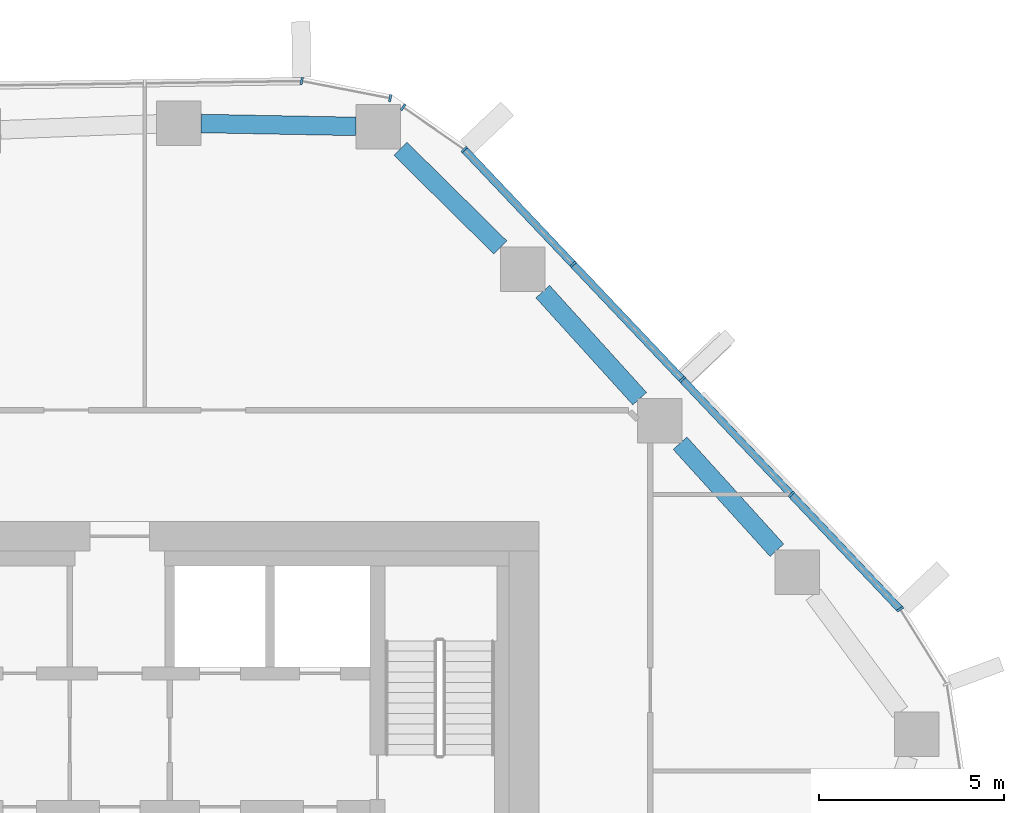
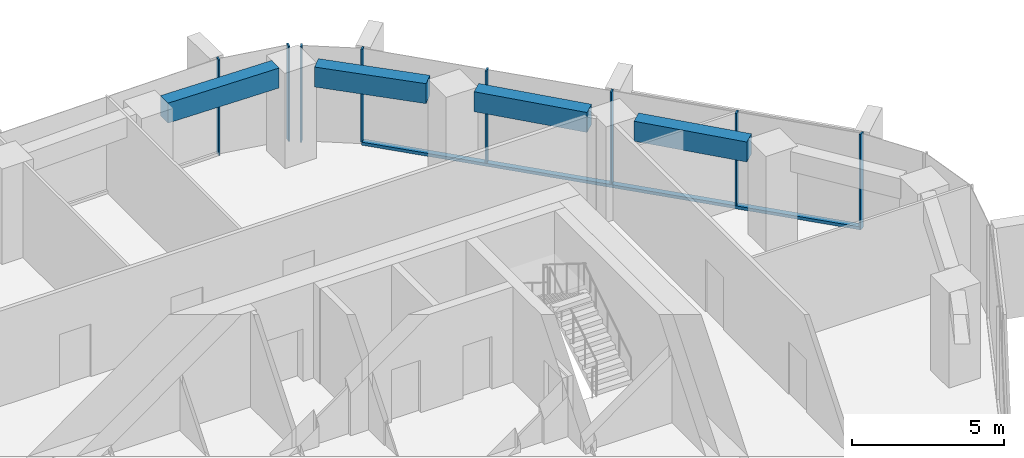
# One storey, part 7 of 18: 9 members, 4 beams, 4 elements without a shape of their own.
"""IFC4 building model written with IfcOpenShell, lengths in metres."""

from ifc_helpers import new_model, si_unit, direction, frame, origin, origin_2d, place, context, subcontext, project, spatial, rectangle, extrude, material, layer, layer_set, material_profile, profile_set, type_object, element, aggregate, save


model = new_model("IFC4")

# Units and contexts
model_context = context("Model", 3, precision=1e-05, world=origin(), true_north=direction((0.0, 1.0)))
body_context = subcontext(model_context, "Body", "Model", "MODEL_VIEW")
ifc_project = project(units=[si_unit("LENGTHUNIT", "METRE"), si_unit("AREAUNIT", "SQUARE_METRE"), si_unit("VOLUMEUNIT", "CUBIC_METRE"), si_unit("PLANEANGLEUNIT", "RADIAN"), si_unit("MASSUNIT", "GRAM", prefix="KILO")], contexts=[model_context])

# Site, building, storey
site_placement = place(None, origin())
site = spatial("IfcSite", under=ifc_project, at=site_placement, CompositionType="ELEMENT")
building_placement = place(site_placement, origin())
building = spatial("IfcBuilding", under=site, at=building_placement, Name="Dongbaek Canopy Tower", CompositionType="ELEMENT")
storey_placement = place(building_placement, frame((0.0, 0.0, 162.800048828125)))
storey = spatial("IfcBuildingStorey", under=building, at=storey_placement, Name="L35", CompositionType="ELEMENT", Elevation=162.800048828125)

# Curtain wall, member
ifc_material_1 = material(Name="Aluminium 6063-T6 pale anodised", Category="aluminium")
ifc_layer = layer(ifc_material_1, 0.199951171875)
ifc_layer_set = layer_set([ifc_layer], Name="CW-1 unitised tower curtain wall")
curtain_wall_type = type_object("IfcCurtainWallType", Name="CW-1 unitised tower curtain wall", PredefinedType="NOTDEFINED", material=ifc_layer_set)
curtain_wall_1_placement = place(storey_placement, origin())
curtain_wall_1 = element("IfcCurtainWall", 1, at=curtain_wall_1_placement, inside=storey, type_object=curtain_wall_type, Name="CW-1 curtain wall K0.1", PredefinedType="NOTDEFINED")
ifc_material_2 = material(Name="Aluminium 6063-T6 pale anodised", Category="aluminium")
ifc_material_profile_1 = material_profile(ifc_material_2, rectangle(XDim=0.199951171875, YDim=0.06005859375, at=origin_2d()), Name="CW-1 mullion 60 x 200")
ifc_profile_set_1 = profile_set([ifc_material_profile_1], Name="Aluminium 6063-T6 pale anodised")
member_type_1 = type_object("IfcMemberType", Name="CW-1 mullion 60 x 200", PredefinedType="MULLION", material=ifc_profile_set_1)
member_1_placement = place(storey_placement, frame((23.738037109375, 8.6298828125, 0.0), z_axis=(0.0, 0.0, 1.0), x_axis=(0.849036032046, 0.528334947063, 0.0)))
member_1 = element("IfcMember", 2, at=member_1_placement, type_object=member_type_1, Name="CW-1 mullion K0.1.4", PredefinedType="MULLION", context=body_context, shape_type="SweptSolid", body=[
    extrude(rectangle(XDim=0.199951171875, YDim=0.06005859375, at=origin_2d()), origin(), (0.0, 0.0, 1.0), 3.820068359375),
])
aggregate(curtain_wall_1, [member_1])

# Curtain wall, members
curtain_wall_2_placement = place(storey_placement, origin())
curtain_wall_2 = element("IfcCurtainWall", 3, at=curtain_wall_2_placement, inside=storey, type_object=curtain_wall_type, Name="CW-1 curtain wall F0.1", PredefinedType="NOTDEFINED")
member_2_placement = place(storey_placement, frame((20.803955078125, 11.724609375, 0.119873046875), z_axis=(0.0, 0.0, 1.0), x_axis=(0.725670208769, 0.688042693519, 0.0)))
member_2 = element("IfcMember", 4, at=member_2_placement, type_object=member_type_1, Name="CW-1 mullion F0.1.2", PredefinedType="MULLION", context=body_context, shape_type="SweptSolid", body=[
    extrude(rectangle(XDim=0.199951171875, YDim=0.06005859375, at=origin_2d()), origin(), (0.0, 0.0, 1.0), 3.7001953125),
])
member_3_placement = place(storey_placement, frame((17.86279296875, 14.826416015625, 0.119873046875), z_axis=(0.0, 0.0, 1.0), x_axis=(0.725670208769, 0.688042693519, 0.0)))
member_3 = element("IfcMember", 5, at=member_3_placement, type_object=member_type_1, Name="CW-1 mullion F0.1.3", PredefinedType="MULLION", context=body_context, shape_type="SweptSolid", body=[
    extrude(rectangle(XDim=0.199951171875, YDim=0.06005859375, at=origin_2d()), origin(), (0.0, 0.0, 1.0), 3.7001953125),
])
member_4_placement = place(storey_placement, frame((14.921875, 17.92822265625, 0.119873046875), z_axis=(0.0, 0.0, 1.0), x_axis=(0.725670208769, 0.688042693519, 0.0)))
member_4 = element("IfcMember", 6, at=member_4_placement, type_object=member_type_1, Name="CW-1 mullion F0.1.4", PredefinedType="MULLION", context=body_context, shape_type="SweptSolid", body=[
    extrude(rectangle(XDim=0.199951171875, YDim=0.06005859375, at=origin_2d()), origin(), (0.0, 0.0, 1.0), 3.7001953125),
])
member_5_placement = place(storey_placement, frame((11.988037109375, 21.022705078125, 0.119873046875), z_axis=(0.0, 0.0, 1.0), x_axis=(0.725670208769, 0.688042693519, 0.0)))
member_5 = element("IfcMember", 7, at=member_5_placement, type_object=member_type_1, Name="CW-1 mullion F0.1.5", PredefinedType="MULLION", context=body_context, shape_type="SweptSolid", body=[
    extrude(rectangle(XDim=0.199951171875, YDim=0.06005859375, at=origin_2d()), origin(), (0.0, 0.0, 1.0), 3.7001953125),
])

# Curtain wall, member
curtain_wall_3_placement = place(storey_placement, origin())
curtain_wall_3 = element("IfcCurtainWall", 8, at=curtain_wall_3_placement, inside=storey, type_object=curtain_wall_type, Name="CW-1 curtain wall K1.1a", PredefinedType="NOTDEFINED")
member_6_placement = place(storey_placement, frame((10.340087890625, 22.163330078125, 0.0), z_axis=(0.0, 0.0, 1.0), x_axis=(0.569121067059, 0.822253738836, 0.0)))
member_6 = element("IfcMember", 9, at=member_6_placement, type_object=member_type_1, Name="CW-1 mullion K1.1a.2", PredefinedType="MULLION", context=body_context, shape_type="SweptSolid", body=[
    extrude(rectangle(XDim=0.199951171875, YDim=0.06005859375, at=origin_2d()), origin(), (0.0, 0.0, 1.0), 3.820068359375),
])
aggregate(curtain_wall_3, [member_6])

# Curtain wall, members
curtain_wall_4_placement = place(storey_placement, origin())
curtain_wall_4 = element("IfcCurtainWall", 10, at=curtain_wall_4_placement, inside=storey, type_object=curtain_wall_type, Name="CW-1 curtain wall K1.1b", PredefinedType="NOTDEFINED")
member_7_placement = place(storey_placement, frame((9.989990234375, 22.405517578125, 0.0), z_axis=(0.0, 0.0, 1.0), x_axis=(0.1911107542, 0.981568479338, 0.0)))
member_7 = element("IfcMember", 11, at=member_7_placement, type_object=member_type_1, Name="CW-1 mullion K1.1b.1", PredefinedType="MULLION", context=body_context, shape_type="SweptSolid", body=[
    extrude(rectangle(XDim=0.199951171875, YDim=0.06005859375, at=origin_2d()), origin(), (0.0, 0.0, 1.0), 3.820068359375),
])
member_8_placement = place(storey_placement, frame((7.604736328125, 22.869873046875, 0.0), z_axis=(0.0, 0.0, 1.0), x_axis=(0.1911107542, 0.981568479338, 0.0)))
member_8 = element("IfcMember", 12, at=member_8_placement, type_object=member_type_1, Name="CW-1 mullion K1.1b.2", PredefinedType="MULLION", context=body_context, shape_type="SweptSolid", body=[
    extrude(rectangle(XDim=0.199951171875, YDim=0.06005859375, at=origin_2d()), origin(), (0.0, 0.0, 1.0), 3.820068359375),
])
aggregate(curtain_wall_4, [member_7, member_8])

# Member
ifc_material_3 = material(Name="Aluminium 6063-T6 pale anodised", Category="aluminium")
ifc_material_profile_2 = material_profile(ifc_material_3, rectangle(XDim=0.199951171875, YDim=0.1201171875, at=origin_2d()), Name="CW-1 transom 120 x 200")
ifc_profile_set_2 = profile_set([ifc_material_profile_2], Name="Aluminium 6063-T6 pale anodised")
member_type_2 = type_object("IfcMemberType", Name="CW-1 transom 120 x 200", PredefinedType="USERDEFINED", material=ifc_profile_set_2)
member_9_placement = place(storey_placement, frame((23.738037109375, 8.6298828125, 0.06005859375), z_axis=(-0.688035645726, 0.725676891055, 0.0), x_axis=(-0.725676891055, -0.688035645726, 0.0)))
member_9 = element("IfcMember", 13, at=member_9_placement, type_object=member_type_2, Name="CW-1 transom F0.1.1", ObjectType="TRANSOM", PredefinedType="USERDEFINED", context=body_context, shape_type="SweptSolid", body=[
    extrude(rectangle(XDim=0.199951171875, YDim=0.1201171875, at=origin_2d()), origin(), (0.0, 0.0, 1.0), 17.07763671875),
])

aggregate(curtain_wall_2, [member_2, member_3, member_4, member_5, member_9])

# Beams
ifc_material_4 = material(Name="Concrete C70", Category="concrete")
ifc_material_profile_3 = material_profile(ifc_material_4, rectangle(XDim=0.5, YDim=0.800048828125, at=origin_2d()), Name="RC EDGE BEAM 500x800 C70")
ifc_profile_set_3 = profile_set([ifc_material_profile_3], Name="Concrete C70")
beam_type = type_object("IfcBeamType", Name="RC EDGE BEAM 500x800 C70", PredefinedType="BEAM", material=ifc_profile_set_3)
beam_1_placement = place(storey_placement, frame((4.89501953125, 21.724609375, 3.419921875), z_axis=(0.999823523871, -0.018786194753, 0.0), x_axis=(0.018786194753, 0.999823523871, 0.0)))
element("IfcBeam", 14, at=beam_1_placement, inside=storey, type_object=beam_type, Name="EDGEBEAM:L35:16", PredefinedType="BEAM", context=body_context, shape_type="SweptSolid", body=[
    extrude(rectangle(XDim=0.5, YDim=0.800048828125, at=origin_2d()), origin(), (0.0, 0.0, 1.0), 4.171630859375),
])
beam_2_placement = place(storey_placement, frame((10.26611328125, 21.04296875, 3.419921875), z_axis=(0.711703560094, -0.702479923236, 0.0), x_axis=(0.702479923236, 0.711703560094, 0.0)))
element("IfcBeam", 15, at=beam_2_placement, inside=storey, type_object=beam_type, Name="EDGEBEAM:L35:17", PredefinedType="BEAM", context=body_context, shape_type="SweptSolid", body=[
    extrude(rectangle(XDim=0.5, YDim=0.800048828125, at=origin_2d()), origin(), (0.0, 0.0, 1.0), 3.78515625),
])
beam_3_placement = place(storey_placement, frame((14.103515625, 17.19189453125, 3.419921875), z_axis=(0.67132037677, -0.741167289978, 0.0), x_axis=(0.741167289978, 0.67132037677, 0.0)))
element("IfcBeam", 16, at=beam_3_placement, inside=storey, type_object=beam_type, Name="EDGEBEAM:L35:18", PredefinedType="BEAM", context=body_context, shape_type="SweptSolid", body=[
    extrude(rectangle(XDim=0.5, YDim=0.800048828125, at=origin_2d()), origin(), (0.0, 0.0, 1.0), 3.893798828125),
])
beam_4_placement = place(storey_placement, frame((17.80419921875, 13.10595703125, 3.419921875), z_axis=(0.671238468475, -0.741241471074, 0.0), x_axis=(0.741241471074, 0.671238468475, 0.0)))
element("IfcBeam", 17, at=beam_4_placement, inside=storey, type_object=beam_type, Name="EDGEBEAM:L35:19", PredefinedType="BEAM", context=body_context, shape_type="SweptSolid", body=[
    extrude(rectangle(XDim=0.5, YDim=0.800048828125, at=origin_2d()), origin(), (0.0, 0.0, 1.0), 3.89208984375),
])

save(model, "model.ifc")
